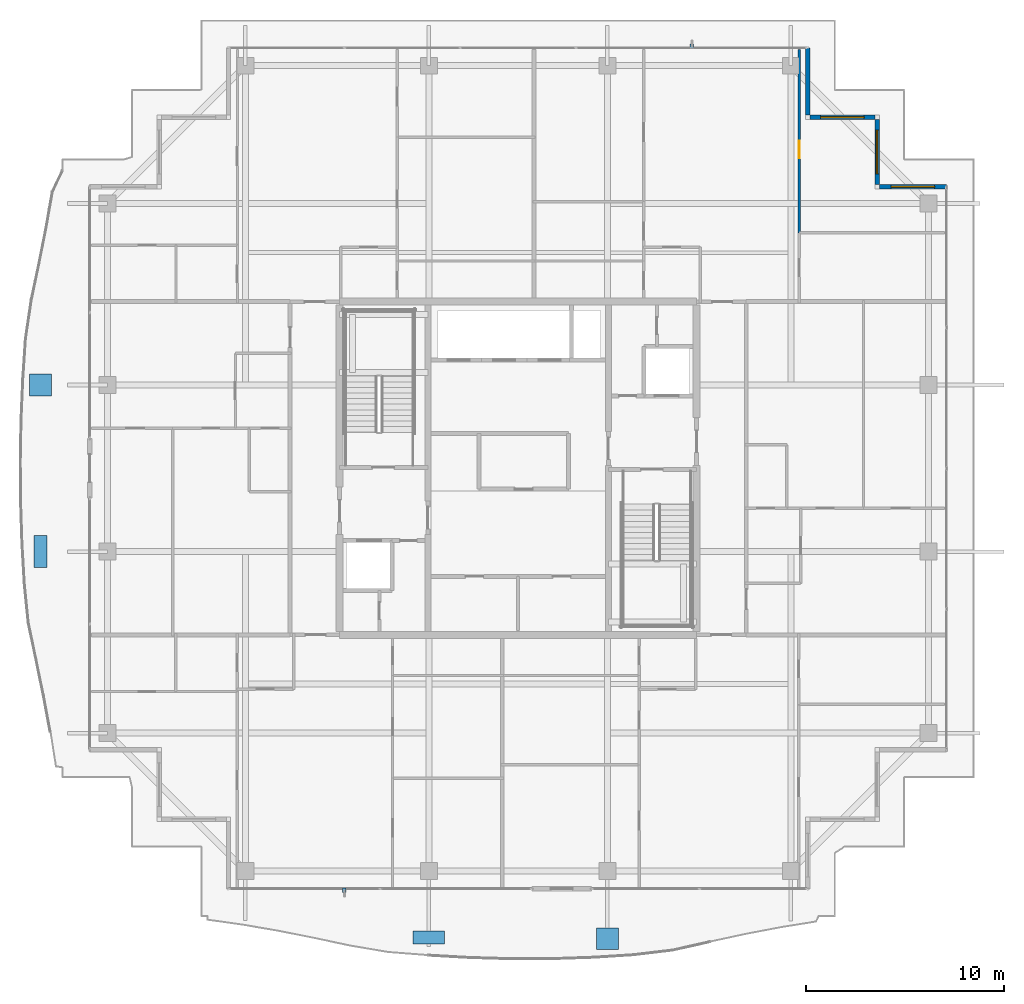
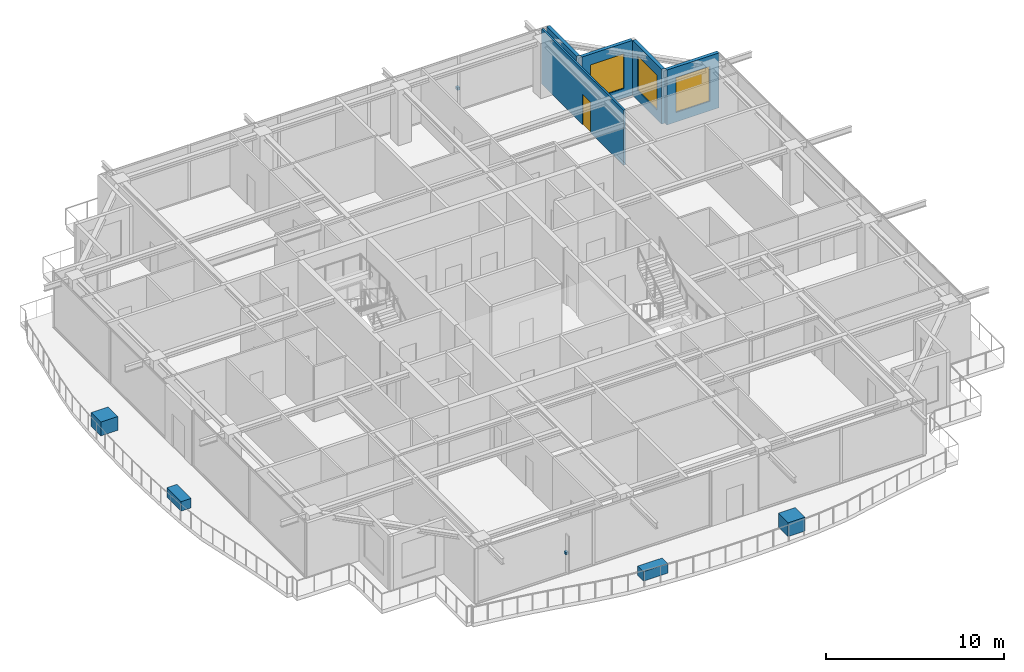
# One storey, part 29 of 36: 6 discrete accessories, 5 walls, 3 windows, 1 door, 4 openings.
"""IFC4 building model written with IfcOpenShell, lengths in metres."""

from ifc_helpers import new_model, si_unit, direction, frame, frame_2d, origin, origin_2d, place, context, subcontext, project, spatial, rectangle, extrude, source, transform, mapped, material, layer, layer_set, type_object, element, fill, save


model = new_model("IFC4")

# Units and contexts
model_context = context("Model", 3, precision=1e-05, world=origin(), true_north=direction((0.0, 1.0)))
body_context = subcontext(model_context, "Body", "Model", "MODEL_VIEW")
ifc_project = project(units=[si_unit("LENGTHUNIT", "METRE"), si_unit("AREAUNIT", "SQUARE_METRE"), si_unit("VOLUMEUNIT", "CUBIC_METRE"), si_unit("PLANEANGLEUNIT", "RADIAN"), si_unit("MASSUNIT", "GRAM", prefix="KILO")], contexts=[model_context])

# Site, building, storey
site_placement = place(None, origin())
site = spatial("IfcSite", under=ifc_project, at=site_placement, CompositionType="ELEMENT")
building_placement = place(site_placement, origin())
building = spatial("IfcBuilding", under=site, at=building_placement, Name="Serunith Strait Residences", CompositionType="ELEMENT")
storey_placement = place(building_placement, frame((0.0, 0.0, 338.0)))
storey = spatial("IfcBuildingStorey", under=building, at=storey_placement, Name="L84", CompositionType="ELEMENT", Elevation=338.0)

# Wall, opening, window
ifc_material_1 = material(Name="Pale-Champagne Aluminium Insulated Panel", Category="aluminium")
ifc_layer_1 = layer(ifc_material_1, 0.219970703125, Name="Pale-Champagne Aluminium Insulated Panel")
ifc_layer_set_1 = layer_set([ifc_layer_1], Name="Pale-Champagne Aluminium Insulated Panel")
wall_type_1 = type_object("IfcWallType", Name="EW-ALUM-220", PredefinedType="ELEMENTEDWALL", material=ifc_layer_set_1)
wall_1_placement = place(storey_placement, frame((54.0, 39.39990234375, 0.0), z_axis=(0.0, 0.0, 1.0), x_axis=(-1.0, 0.0, 0.0)))
wall_1 = element("IfcWall", 1, at=wall_1_placement, inside=storey, type_object=wall_type_1, Name="L84 Girih Serrated Corner Wall 07", PredefinedType="ELEMENTEDWALL", context=body_context, shape_type="SweptSolid", body=[
    extrude(rectangle(XDim=3.389892578125, YDim=0.219970703125, at=frame_2d((1.69482421875, 0.0))), origin(), (0.0, 0.0, 1.0), 3.77490234375),
])
opening_1_placement = place(wall_1_placement, frame((0.594970703125, 0.0, 0.64990234375)))
opening_1 = element("IfcOpeningElement", 2, at=opening_1_placement, cuts=wall_1, Name="Opening W-06", PredefinedType="OPENING", context=body_context, shape_type="SweptSolid", body=[
    extrude(rectangle(XDim=2.199951171875, YDim=2.39990234375, at=frame_2d((1.10009765625, 1.199951171875))), frame((0.0, 0.1201171875, 0.0), z_axis=(0.0, -1.0, 0.0), x_axis=(1.0, 0.0, 0.0)), (0.0, 0.0, 1.0), 0.239990234375),
])
ifc_material_2 = material(Name="Crown Penthouse Low-E Operable Window Glass", Category="glass")
window_type = type_object("IfcWindowType", Name="WIN-C6", PartitioningType="TRIPLE_PANEL_VERTICAL", PredefinedType="WINDOW", material=ifc_material_2)
shared_shape_1 = source(origin(), body_context, "Body", "SweptSolid", [
    extrude(rectangle(XDim=2.199951171875, YDim=2.39990234375, at=frame_2d((1.10009765625, 1.199951171875))), frame((0.0, 0.030029296875, 0.0), z_axis=(0.0, -1.0, 0.0), x_axis=(1.0, 0.0, 0.0)), (0.0, 0.0, 1.0), 0.06005859375),
])
window_1_placement = place(opening_1_placement, origin())
window_1 = element("IfcWindow", 3, at=window_1_placement, inside=storey, type_object=window_type, Name="L84 Corner Operable Fritted Window 07", OverallHeight=2.39990234375, OverallWidth=2.199951171875, PartitioningType="SINGLE_PANEL", PredefinedType="WINDOW", context=body_context, shape_type="MappedRepresentation", body=[
    mapped(shared_shape_1, transform((0.0, 0.0, 0.0), scale=1.0)),
])
fill(opening_1, window_1)

wall_2_placement = place(storey_placement, frame((50.5, 39.510009765625, 0.0), z_axis=(0.0, 0.0, 1.0), x_axis=(0.0, 1.0, 0.0)))
wall_2 = element("IfcWall", 4, at=wall_2_placement, inside=storey, type_object=wall_type_1, Name="L84 Girih Serrated Corner Wall 08", PredefinedType="ELEMENTEDWALL", context=body_context, shape_type="SweptSolid", body=[
    extrude(rectangle(XDim=3.280029296875, YDim=0.219970703125, at=frame_2d((1.64013671875, 0.0))), origin(), (0.0, 0.0, 1.0), 3.77490234375),
])
opening_2_placement = place(wall_2_placement, frame((0.5400390625, 0.0, 0.64990234375)))
opening_2 = element("IfcOpeningElement", 5, at=opening_2_placement, cuts=wall_2, Name="Opening W-06", PredefinedType="OPENING", context=body_context, shape_type="SweptSolid", body=[
    extrude(rectangle(XDim=2.199951171875, YDim=2.39990234375, at=frame_2d((1.10009765625, 1.199951171875))), frame((0.0, 0.1201171875, 0.0), z_axis=(0.0, -1.0, 0.0), x_axis=(1.0, 0.0, 0.0)), (0.0, 0.0, 1.0), 0.239990234375),
])
window_2_placement = place(opening_2_placement, origin())
window_2 = element("IfcWindow", 6, at=window_2_placement, inside=storey, type_object=window_type, Name="L84 Corner Operable Fritted Window 08", OverallHeight=2.39990234375, OverallWidth=2.199951171875, PartitioningType="SINGLE_PANEL", PredefinedType="WINDOW", context=body_context, shape_type="MappedRepresentation", body=[
    mapped(shared_shape_1, transform((0.0, 0.0, 0.0), scale=1.0)),
])
fill(opening_2, window_2)

wall_3_placement = place(storey_placement, frame((50.389892578125, 42.89990234375, 0.0), z_axis=(0.0, 0.0, 1.0), x_axis=(-1.0, 0.0, 0.0)))
wall_3 = element("IfcWall", 7, at=wall_3_placement, inside=storey, type_object=wall_type_1, Name="L84 Girih Serrated Corner Wall 09", PredefinedType="ELEMENTEDWALL", context=body_context, shape_type="SweptSolid", body=[
    extrude(rectangle(XDim=3.27978515625, YDim=0.219970703125, at=frame_2d((1.639892578125, 0.0))), origin(), (0.0, 0.0, 1.0), 3.77490234375),
])
opening_3_placement = place(wall_3_placement, frame((0.5400390625, 0.0, 0.64990234375)))
opening_3 = element("IfcOpeningElement", 8, at=opening_3_placement, cuts=wall_3, Name="Opening W-06", PredefinedType="OPENING", context=body_context, shape_type="SweptSolid", body=[
    extrude(rectangle(XDim=2.199951171875, YDim=2.39990234375, at=frame_2d((1.10009765625, 1.199951171875))), frame((0.0, 0.1201171875, 0.0), z_axis=(0.0, -1.0, 0.0), x_axis=(1.0, 0.0, 0.0)), (0.0, 0.0, 1.0), 0.239990234375),
])
window_3_placement = place(opening_3_placement, origin())
window_3 = element("IfcWindow", 9, at=window_3_placement, inside=storey, type_object=window_type, Name="L84 Corner Operable Fritted Window 09", OverallHeight=2.39990234375, OverallWidth=2.199951171875, PartitioningType="SINGLE_PANEL", PredefinedType="WINDOW", context=body_context, shape_type="MappedRepresentation", body=[
    mapped(shared_shape_1, transform((0.0, 0.0, 0.0), scale=1.0)),
])
fill(opening_3, window_3)

# Wall
wall_4_placement = place(storey_placement, frame((47.0, 43.010009765625, 0.0), z_axis=(0.0, 0.0, 1.0), x_axis=(0.0, 1.0, 0.0)))
element("IfcWall", 10, at=wall_4_placement, inside=storey, type_object=wall_type_1, Name="L84 Girih Serrated Corner Wall 10", PredefinedType="ELEMENTEDWALL", context=body_context, shape_type="SweptSolid", body=[
    extrude(rectangle(XDim=3.389892578125, YDim=0.219970703125, at=frame_2d((1.69482421875, 0.0))), origin(), (0.0, 0.0, 1.0), 3.77490234375),
])

# Wall, opening, door
ifc_material_3 = material(Name="Lightweight steel-stud gypsum partition", Category="steel")
ifc_layer_2 = layer(ifc_material_3, 0.1201171875, Name="Lightweight steel-stud gypsum partition")
ifc_layer_set_2 = layer_set([ifc_layer_2], Name="Lightweight steel-stud gypsum partition")
wall_type_2 = type_object("IfcWallType", Name="IW-PART-120", PredefinedType="PARTITIONING", material=ifc_layer_set_2)
wall_5_placement = place(storey_placement, frame((46.570068359375, 46.304931640625, 0.0), z_axis=(0.0, 0.0, 1.0), x_axis=(0.0, -1.0, 0.0)))
wall_5 = element("IfcWall", 11, at=wall_5_placement, inside=storey, type_object=wall_type_2, Name="L84 Partition Wall 073", PredefinedType="PARTITIONING", context=body_context, shape_type="SweptSolid", body=[
    extrude(rectangle(XDim=9.22900390625, YDim=0.1201171875, at=frame_2d((4.614501953125, 0.0))), origin(), (0.0, 0.0, 1.0), 3.7900390625),
])
opening_4_placement = place(wall_5_placement, frame((4.5810546875, 0.0, 0.0)))
opening_4 = element("IfcOpeningElement", 12, at=opening_4_placement, cuts=wall_5, Name="Opening D-RM900", PredefinedType="OPENING", context=body_context, shape_type="SweptSolid", body=[
    extrude(rectangle(XDim=0.89990234375, YDim=2.10009765625, at=frame_2d((0.449951171875, 1.050048828125))), frame((0.0, 0.070068359375, 0.0), z_axis=(0.0, -1.0, 0.0), x_axis=(1.0, 0.0, 0.0)), (0.0, 0.0, 1.0), 0.14013671875),
])
ifc_material_4 = material(Name="Engineered timber flush bedroom door", Category="wood")
door_type = type_object("IfcDoorType", Name="ID-ROOM-900", OperationType="NOTDEFINED", PredefinedType="DOOR", material=ifc_material_4)
shared_shape_2 = source(origin(), body_context, "Body", "SweptSolid", [
    extrude(rectangle(XDim=0.89990234375, YDim=2.10009765625, at=frame_2d((0.449951171875, 1.050048828125))), frame((0.0, 0.02490234375, 0.0), z_axis=(0.0, -1.0, 0.0), x_axis=(1.0, 0.0, 0.0)), (0.0, 0.0, 1.0), 0.050048828125),
])
door_placement = place(opening_4_placement, origin())
door = element("IfcDoor", 13, at=door_placement, inside=storey, type_object=door_type, Name="L84 Bedroom 2 8404 Door", OperationType="SINGLE_SWING_LEFT", OverallHeight=2.10009765625, OverallWidth=0.89990234375, PredefinedType="DOOR", context=body_context, shape_type="MappedRepresentation", body=[
    mapped(shared_shape_2, transform((0.0, 0.0, 0.0), scale=1.0)),
])
fill(opening_4, door)

# Discrete accessories
ifc_material_5 = material(Name="GFRC Root-Anchored Structural Planter")
discrete_accessory_type_1 = type_object("IfcDiscreteAccessoryType", Name="ACC-PLANTER-TREE", PredefinedType="USERDEFINED", material=ifc_material_5)
shared_shape_3 = source(origin(), body_context, "Body", "SweptSolid", [
    extrude(rectangle(XDim=1.10009765625, YDim=1.10009765625, at=origin_2d()), origin(), (0.0, 0.0, 1.0), 0.949951171875),
])
for number, where, z_axis, x_axis, name in (
    (14, (36.89990234375, 1.48193359375, -0.0498046875), (0.0, 0.0, 1.0), (1.0, 0.0, 0.0), "L84 Vertical-Forest Tree Planter 03"),
    (15, (8.32177734375, 29.39990234375, -0.0498046875), (0.0, 0.0, 1.0), (0.0, -1.0, 0.0), "L84 Vertical-Forest Tree Planter 15"),
):
    element("IfcDiscreteAccessory", number, at=place(storey_placement, frame(where, z_axis=z_axis, x_axis=x_axis)), inside=storey, type_object=discrete_accessory_type_1, Name=name, ObjectType="PLANTER", PredefinedType="USERDEFINED", context=body_context, shape_type="MappedRepresentation", body=[
        mapped(shared_shape_3, transform((0.0, 0.0, 0.0), scale=1.0)),
    ])
ifc_material_6 = material(Name="GFRC Irrigated Shrub Trough Planter")
discrete_accessory_type_2 = type_object("IfcDiscreteAccessoryType", Name="ACC-PLANTER-SHRUB", PredefinedType="USERDEFINED", material=ifc_material_6)
shared_shape_4 = source(origin(), body_context, "Body", "SweptSolid", [
    extrude(rectangle(XDim=1.60009765625, YDim=0.64990234375, at=origin_2d()), origin(), (0.0, 0.0, 1.0), 0.64990234375),
])
for number, where, z_axis, x_axis, name in (
    (16, (27.89990234375, 1.541259765625, -0.050048828125), (0.0, 0.0, 1.0), (1.0, 0.0, 0.0), "L84 Vertical-Forest Shrub Planter 02"),
    (17, (8.31787109375, 21.0, -0.050048828125), (0.0, 0.0, 1.0), (0.0, -1.0, 0.0), "L84 Vertical-Forest Shrub Planter 14"),
):
    element("IfcDiscreteAccessory", number, at=place(storey_placement, frame(where, z_axis=z_axis, x_axis=x_axis)), inside=storey, type_object=discrete_accessory_type_2, Name=name, ObjectType="PLANTER", PredefinedType="USERDEFINED", context=body_context, shape_type="MappedRepresentation", body=[
        mapped(shared_shape_4, transform((0.0, 0.0, 0.0), scale=1.0)),
    ])
ifc_material_7 = material(Name="Stainless Steel Facade Cleat Bracket", Category="steel")
discrete_accessory_type_3 = type_object("IfcDiscreteAccessoryType", Name="ACC-FIN-BRACKET", PredefinedType="USERDEFINED", material=ifc_material_7)
shared_shape_5 = source(origin(), body_context, "Body", "SweptSolid", [
    extrude(rectangle(XDim=0.179931640625, YDim=0.219970703125, at=origin_2d()), origin(), (0.0, 0.0, 1.0), 0.179931640625),
])
for number, where, z_axis, x_axis, name in (
    (18, (23.639892578125, 3.919921875, 1.41015625), (0.0, 0.0, 1.0), (1.0, 0.0, 0.0), "L84 Solar Fin Cleat Bracket S"),
    (19, (41.159912109375, 46.47998046875, 1.41015625), (0.0, 0.0, 1.0), (1.0, 0.0, 0.0), "L84 Solar Fin Cleat Bracket N"),
):
    element("IfcDiscreteAccessory", number, at=place(storey_placement, frame(where, z_axis=z_axis, x_axis=x_axis)), inside=storey, type_object=discrete_accessory_type_3, Name=name, ObjectType="BRACKET", PredefinedType="USERDEFINED", context=body_context, shape_type="MappedRepresentation", body=[
        mapped(shared_shape_5, transform((0.0, 0.0, 0.0), scale=1.0)),
    ])

save(model, "model.ifc")
